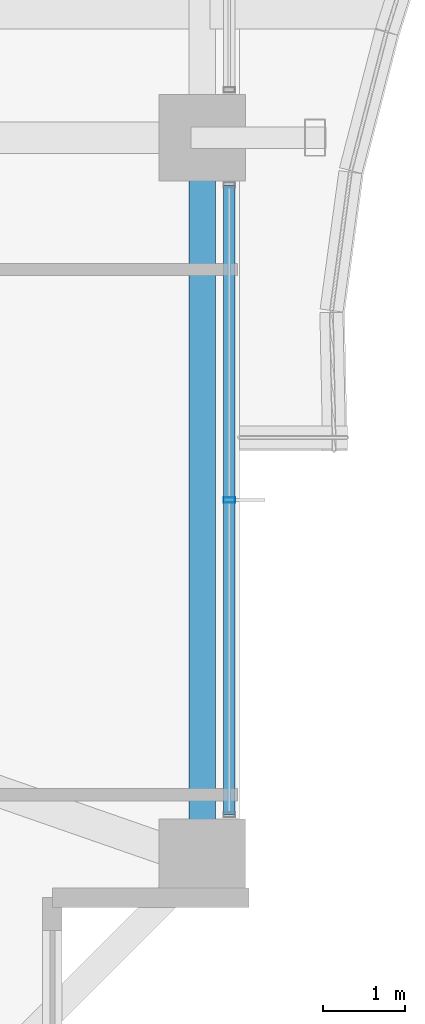
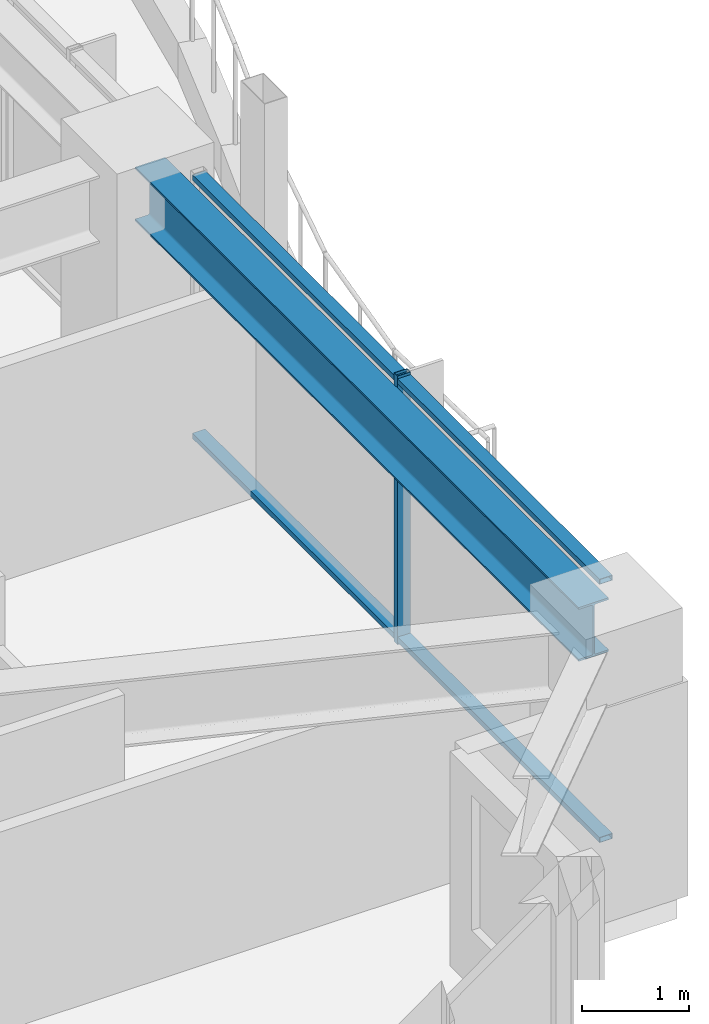
# One storey, part 13 of 37: 3 members, 1 beam, 1 element without a shape of its own.
"""IFC4 building model written with IfcOpenShell, lengths in metres."""

import ifcopenshell
import ifcopenshell.guid

model = None  # the IFC model being written
_history = None  # IfcOwnerHistory: only IFC2X3 demands one
_inside = {}  # id of a spatial element -> (the spatial element, [elements in it])
_under = {}  # id of a project, library or spatial element -> (it, [spatial elements below it])
_declared = {}  # id of a project -> (the project, [libraries it declares])
_typed = {}  # id of a type object -> (the type object, [elements of that type])
_made_of = {}  # id of a material, layer set ... -> (it, [elements and type objects made of it])


def new_model(schema):
    """Start an empty IFC model of exactly this schema.

    Asked for "IFC4X3", IfcOpenShell would pick the latest addendum, in which some entities
    have other attributes; the version numbers below select the first issue.
    IFC2X3 requires an IfcOwnerHistory on every rooted entity: one is made here for all.
    """
    global model, _history
    if schema == "IFC4X3":
        model = ifcopenshell.file(schema_version=(4, 3, 0, 0))
    else:
        model = ifcopenshell.file(schema=schema)
    _inside.clear()
    _under.clear()
    _declared.clear()
    _typed.clear()
    _made_of.clear()
    _history = None
    if model.schema == "IFC2X3":
        org = make("IfcOrganization", Name="unknown")
        user = make(
            "IfcPersonAndOrganization",
            ThePerson=make("IfcPerson", FamilyName="unknown"),
            TheOrganization=org,
        )
        app = make(
            "IfcApplication",
            ApplicationDeveloper=org,
            Version="unknown",
            ApplicationFullName="unknown",
            ApplicationIdentifier="unknown",
        )
        _history = make(
            "IfcOwnerHistory",
            OwningUser=user,
            OwningApplication=app,
            ChangeAction="ADDED",
            CreationDate=0,
        )
    return model


def make(cls, **values):
    """One entity of the class cls with the attributes given. An attribute that is None is left unset."""
    return model.create_entity(
        cls, **{name: value for name, value in values.items() if value is not None}
    )


def rooted(cls, **values):
    """An entity with a GlobalId (a new one), such as an element, a storey or a relation."""
    return make(cls, GlobalId=ifcopenshell.guid.new(), OwnerHistory=_history, **values)


def si_unit(unit_type, name, prefix=None):
    """IfcSIUnit, for example si_unit("LENGTHUNIT", "METRE", prefix="MILLI")."""
    return make("IfcSIUnit", UnitType=unit_type, Prefix=prefix, Name=name)


def assignment(units):
    """IfcUnitAssignment: the units of a project."""
    return None if units is None else make("IfcUnitAssignment", Units=units)


def point(xyz):
    """IfcCartesianPoint."""
    return None if xyz is None else make("IfcCartesianPoint", Coordinates=xyz)


def direction(xyz):
    """IfcDirection."""
    return None if xyz is None else make("IfcDirection", DirectionRatios=xyz)


def frame(location, z_axis=None, x_axis=None):
    """IfcAxis2Placement3D, a coordinate frame: its origin and axes. An axis left out is left unset."""
    return make(
        "IfcAxis2Placement3D",
        Location=point(location),
        Axis=direction(z_axis),
        RefDirection=direction(x_axis),
    )


def frame_2d(location, x_axis=None):
    """IfcAxis2Placement2D, a coordinate frame in the plane: its origin and x axis."""
    return make(
        "IfcAxis2Placement2D", Location=point(location), RefDirection=direction(x_axis)
    )


def origin():
    """The frame at (0, 0, 0) with its axes left unset."""
    return frame((0.0, 0.0, 0.0))


def origin_2d():
    """The frame at (0, 0) in the plane with its x axis left unset."""
    return frame_2d((0.0, 0.0))


def place(relative_to, where):
    """IfcLocalPlacement: puts the frame where relative to a parent placement (None: the world)."""
    return make(
        "IfcLocalPlacement", PlacementRelTo=relative_to, RelativePlacement=where
    )


def context(
    kind, dimensions, precision=None, world=None, true_north=None, identifier=None
):
    """IfcGeometricRepresentationContext, for example the 3D "Model" context."""
    return make(
        "IfcGeometricRepresentationContext",
        ContextIdentifier=identifier,
        ContextType=kind,
        CoordinateSpaceDimension=dimensions,
        Precision=precision,
        WorldCoordinateSystem=world,
        TrueNorth=true_north,
    )


def subcontext(parent, identifier, kind, view, scale=None):
    """IfcGeometricRepresentationSubContext, for example "Body" below "Model"."""
    return make(
        "IfcGeometricRepresentationSubContext",
        ContextIdentifier=identifier,
        ContextType=kind,
        ParentContext=parent,
        TargetScale=scale,
        TargetView=view,
    )


def project(units=None, contexts=None):
    """IfcProject with its units and contexts."""
    return rooted(
        "IfcProject",
        Name="project",
        RepresentationContexts=contexts,
        UnitsInContext=assignment(units),
    )


def spatial(cls, under=None, at=None, **own):
    """A site, building, storey or space (cls), placed at a placement, below another one or the project."""
    s = rooted(cls, ObjectPlacement=at, **own)
    if under is not None:
        _under.setdefault(under.id(), (under, []))[1].append(s)
    return s


def profile(cls, at=None, kind="AREA", **sizes):
    """A parametric profile (cls). Its sizes go by their IFC names, for example OverallWidth=200.0."""
    return make(cls, ProfileType=kind, Position=at, **sizes)


def hollow_rectangle(**sizes):
    """IfcRectangleHollowProfileDef."""
    return profile("IfcRectangleHollowProfileDef", **sizes)


def i_section(**sizes):
    """IfcIShapeProfileDef."""
    return profile("IfcIShapeProfileDef", **sizes)


def extrude(swept, where, along, depth):
    """IfcExtrudedAreaSolid: the profile swept, set in the frame where, extruded along a direction by depth."""
    return make(
        "IfcExtrudedAreaSolid",
        SweptArea=swept,
        Position=where,
        ExtrudedDirection=direction(along),
        Depth=depth,
    )


def shape(context_of_items, identifier, shape_type, items):
    """IfcShapeRepresentation: the items that make up one representation, for example the "Body"."""
    return make(
        "IfcShapeRepresentation",
        ContextOfItems=context_of_items,
        RepresentationIdentifier=identifier,
        RepresentationType=shape_type,
        Items=items,
    )


def material(Name=None, Category=None):
    """IfcMaterial."""
    return make("IfcMaterial", Name=Name, Category=Category)


def material_profile(
    of_material, cross_section, Name=None, Category=None, Priority=None
):
    """IfcMaterialProfile: a cross section and its material."""
    return make(
        "IfcMaterialProfile",
        Name=Name,
        Material=of_material,
        Profile=cross_section,
        Priority=Priority,
        Category=Category,
    )


def profile_set(profiles, Name=None, composite=None):
    """IfcMaterialProfileSet."""
    return make(
        "IfcMaterialProfileSet",
        Name=Name,
        MaterialProfiles=profiles,
        CompositeProfile=composite,
    )


def made_of(thing, what):
    """Note that an element or type object is made of a material, layer set ...; save() writes the relation."""
    if what is not None:
        _made_of.setdefault(what.id(), (what, []))[1].append(thing)
    return thing


def type_object(cls, material=None, **own):
    """A type object (cls), such as IfcWallType, which elements share."""
    return made_of(rooted(cls, **own), material)


def element(
    cls,
    number,
    at=None,
    inside=None,
    cuts=None,
    type_object=None,
    material=None,
    context=None,
    identifier="Body",
    shape_type=None,
    held_by="IfcProductDefinitionShape",
    body=None,
    shapes=None,
    **own,
):
    """One element of the class cls, such as IfcWall. Its Tag is "e" and its number.

    at: its placement. inside: the storey or other place that contains it. cuts: it is an
    opening in that element (IfcRelVoidsElement). A single representation is given by context,
    identifier, shape_type and body (its items); several are given by shapes. held_by: the class
    of the entity that holds the representations. save() writes the other relations.
    """
    e = rooted(cls, Tag="e%d" % number, ObjectPlacement=at, **own)
    if body is not None:
        shapes = [shape(context, identifier, shape_type, body)]
    if shapes is not None:
        e.Representation = make(held_by, Representations=shapes)
    if inside is not None:
        _inside.setdefault(inside.id(), (inside, []))[1].append(e)
    if cuts is not None:
        rooted(
            "IfcRelVoidsElement", RelatingBuildingElement=cuts, RelatedOpeningElement=e
        )
    if type_object is not None:
        _typed.setdefault(type_object.id(), (type_object, []))[1].append(e)
    return made_of(e, material)


def aggregate(whole, parts):
    """IfcRelAggregates: a whole, such as a stair, and the parts it consists of."""
    return rooted("IfcRelAggregates", RelatingObject=whole, RelatedObjects=parts)


def save(model, path):
    """Write the relations noted so far, then the file.

    IfcRelAggregates (storeys below a building ...), IfcRelContainedInSpatialStructure (elements
    in a storey), IfcRelDefinesByType, IfcRelAssociatesMaterial and IfcRelDeclares: one each for
    every whole, place, type object, material and project.
    """
    for whole, parts in _under.values():
        aggregate(whole, parts)
    for where, things in _inside.values():
        rooted(
            "IfcRelContainedInSpatialStructure",
            RelatedElements=things,
            RelatingStructure=where,
        )
    for kind, things in _typed.values():
        rooted("IfcRelDefinesByType", RelatedObjects=things, RelatingType=kind)
    for what, things in _made_of.values():
        rooted("IfcRelAssociatesMaterial", RelatedObjects=things, RelatingMaterial=what)
    for by, libraries in _declared.values():
        rooted("IfcRelDeclares", RelatingContext=by, RelatedDefinitions=libraries)
    model.write(path)


model = new_model("IFC4")

# Units and contexts
model_context = context("Model", 3, precision=1e-05, world=origin(), true_north=direction((0.0, 1.0)))
body_context = subcontext(model_context, "Body", "Model", "MODEL_VIEW")
ifc_project = project(units=[si_unit("LENGTHUNIT", "METRE"), si_unit("AREAUNIT", "SQUARE_METRE"), si_unit("VOLUMEUNIT", "CUBIC_METRE"), si_unit("PLANEANGLEUNIT", "RADIAN"), si_unit("MASSUNIT", "GRAM", prefix="KILO")], contexts=[model_context])

# Site, building, storey
site_placement = place(None, origin())
site = spatial("IfcSite", under=ifc_project, at=site_placement, CompositionType="ELEMENT")
building_placement = place(site_placement, origin())
building = spatial("IfcBuilding", under=site, at=building_placement, Name="Kolvaren Belvedere", CompositionType="ELEMENT")
storey_placement = place(building_placement, frame((0.0, 0.0, 75.5)))
storey = spatial("IfcBuildingStorey", under=building, at=storey_placement, Name="L21", CompositionType="ELEMENT", Elevation=75.5)

# Beam
ifc_material_1 = material(Name="Structural steel ASTM A992 Grade 50", Category="steel")
ifc_material_profile_1 = material_profile(ifc_material_1, i_section(OverallWidth=0.324951171875, OverallDepth=0.615966796875, WebThickness=0.013916015625, FlangeThickness=0.021484375, FilletRadius=0.02001953125, at=origin_2d()), Name="W24X117")
ifc_profile_set_1 = profile_set([ifc_material_profile_1], Name="Structural steel ASTM A992 Grade 50")
beam_type = type_object("IfcBeamType", Name="BM-SPAN-W24X117", PredefinedType="SPANDREL", material=ifc_profile_set_1)
beam_placement = place(storey_placement, frame((19.949951171875, -13.163818359375, 2.77197265625), z_axis=(0.0, 1.0, 0.0), x_axis=(-1.0, 0.0, 0.0)))
element("IfcBeam", 1, at=beam_placement, inside=storey, type_object=beam_type, Name="L21 Perimeter Spandrel E1-E2", PredefinedType="SPANDREL", context=body_context, shape_type="SweptSolid", body=[
    extrude(i_section(OverallWidth=0.324951171875, OverallDepth=0.615966796875, WebThickness=0.013916015625, FlangeThickness=0.021484375, FilletRadius=0.02001953125, at=origin_2d()), origin(), (0.0, 0.0, 1.0), 8.32763671875),
])

# Curtain wall, members
ifc_material_2 = material(Name="Anodised pale-metal aluminium AA 6063-T6", Category="aluminium")
curtain_wall_type = type_object("IfcCurtainWallType", Name="CW-Z2-MID", PredefinedType="NOTDEFINED", material=ifc_material_2)
curtain_wall_placement = place(storey_placement, origin())
curtain_wall = element("IfcCurtainWall", 2, at=curtain_wall_placement, inside=storey, type_object=curtain_wall_type, Name="L21 Unitised Curtain Wall FCW-L21-E2-B2", PredefinedType="NOTDEFINED")
ifc_material_3 = material(Name="Anodised pale-metal aluminium AA 6063-T6", Category="aluminium")
ifc_material_profile_2 = material_profile(ifc_material_3, hollow_rectangle(XDim=0.06494140625, YDim=0.139892578125, WallThickness=0.00390625, at=origin_2d()), Name="ALU-MUL-140X65")
ifc_profile_set_2 = profile_set([ifc_material_profile_2], Name="Anodised pale-metal aluminium AA 6063-T6")
member_type_1 = type_object("IfcMemberType", Name="CW-MUL-140", PredefinedType="MULLION", material=ifc_profile_set_2)
member_1_placement = place(storey_placement, frame((20.280029296875, -9.0, 0.0), z_axis=(0.0, 0.0, 1.0), x_axis=(0.0, 1.0, 0.0)))
member_1 = element("IfcMember", 3, at=member_1_placement, type_object=member_type_1, Name="FCW-L21-E2-B2 Unitised Mullion 2", PredefinedType="MULLION", context=body_context, shape_type="SweptSolid", body=[
    extrude(hollow_rectangle(XDim=0.06494140625, YDim=0.139892578125, WallThickness=0.00390625, at=origin_2d()), origin(), (0.0, 0.0, 1.0), 3.080078125),
])
ifc_material_4 = material(Name="Anodised pale-metal aluminium AA 6063-T6", Category="aluminium")
ifc_material_profile_3 = material_profile(ifc_material_4, hollow_rectangle(XDim=0.06005859375, YDim=0.139892578125, WallThickness=0.00390625, at=origin_2d()), Name="ALU-TRN-140X60")
ifc_profile_set_3 = profile_set([ifc_material_profile_3], Name="Anodised pale-metal aluminium AA 6063-T6")
member_type_2 = type_object("IfcMemberType", Name="CW-TRN-140", PredefinedType="USERDEFINED", material=ifc_profile_set_3)
member_2_placement = place(storey_placement, frame((20.280029296875, -5.177490234375, 0.06005859375), z_axis=(0.0, -1.0, 0.0), x_axis=(0.0, 0.0, 1.0)))
member_2 = element("IfcMember", 4, at=member_2_placement, type_object=member_type_2, Name="FCW-L21-E2-B2 Sill Transom", ObjectType="TRANSOM", PredefinedType="USERDEFINED", context=body_context, shape_type="SweptSolid", body=[
    extrude(hollow_rectangle(XDim=0.06005859375, YDim=0.139892578125, WallThickness=0.00390625, at=origin_2d()), origin(), (0.0, 0.0, 1.0), 7.64501953125),
])
member_3_placement = place(storey_placement, frame((20.280029296875, -5.177490234375, 3.02001953125), z_axis=(0.0, -1.0, 0.0), x_axis=(0.0, 0.0, 1.0)))
member_3 = element("IfcMember", 5, at=member_3_placement, type_object=member_type_2, Name="FCW-L21-E2-B2 Head Transom", ObjectType="TRANSOM", PredefinedType="USERDEFINED", context=body_context, shape_type="SweptSolid", body=[
    extrude(hollow_rectangle(XDim=0.06005859375, YDim=0.139892578125, WallThickness=0.00390625, at=origin_2d()), origin(), (0.0, 0.0, 1.0), 7.64501953125),
])
aggregate(curtain_wall, [member_1, member_2, member_3])

save(model, "model.ifc")
